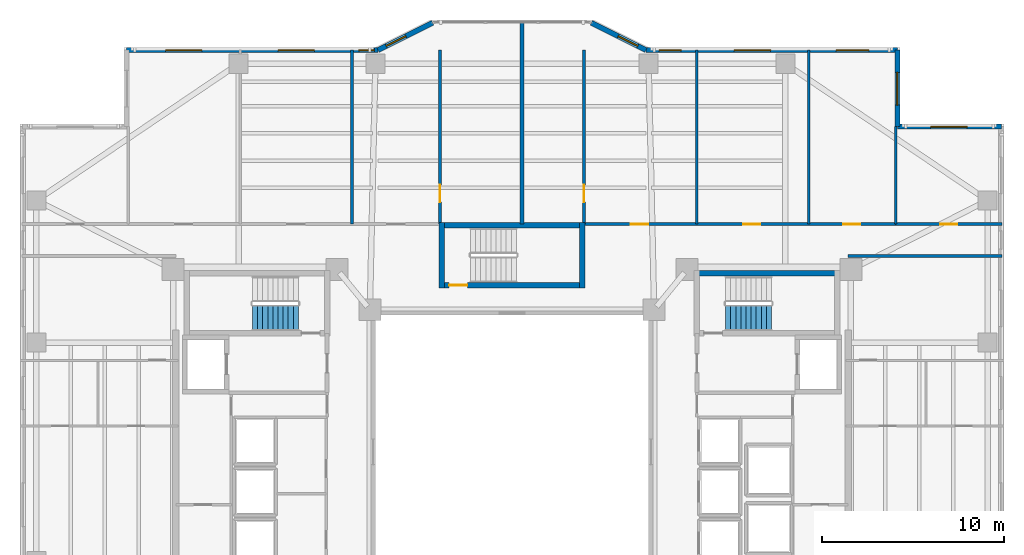
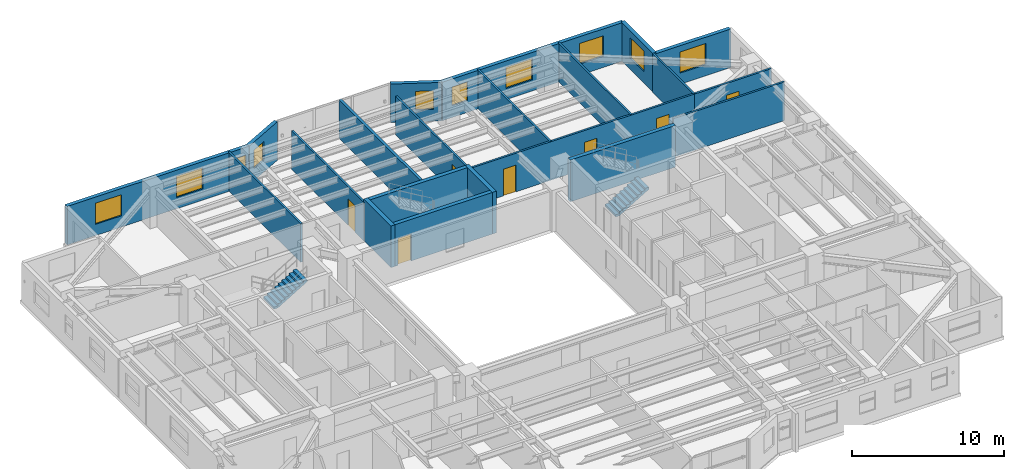
# One storey, part 10 of 18: 21 walls, 10 windows, 7 doors, 2 stair flights, 17 openings, 2 elements without a shape of their own.
"""IFC4 building model written with IfcOpenShell, lengths in metres."""

from ifc_helpers import new_model, si_unit, direction, frame, frame_2d, origin, place, context, subcontext, project, spatial, polyline, rectangle, outline, extrude, material, layer, layer_set, type_object, element, fill, aggregate, save


model = new_model("IFC4")

# Units and contexts
model_context = context("Model", 3, precision=1e-05, world=origin(), true_north=direction((0.0, 1.0)))
body_context = subcontext(model_context, "Body", "Model", "MODEL_VIEW")
ifc_project = project(units=[si_unit("LENGTHUNIT", "METRE"), si_unit("AREAUNIT", "SQUARE_METRE"), si_unit("VOLUMEUNIT", "CUBIC_METRE"), si_unit("PLANEANGLEUNIT", "RADIAN"), si_unit("MASSUNIT", "GRAM", prefix="KILO")], contexts=[model_context])

# Site, building, storey
site_placement = place(None, origin())
site = spatial("IfcSite", under=ifc_project, at=site_placement, CompositionType="ELEMENT")
building_placement = place(site_placement, origin())
building = spatial("IfcBuilding", under=site, at=building_placement, Name="Tarnavaz Court Tower", CompositionType="ELEMENT")
storey_placement = place(building_placement, frame((0.0, 0.0, 105.10009765625)))
storey = spatial("IfcBuildingStorey", under=building, at=storey_placement, Name="L28", CompositionType="ELEMENT", Elevation=105.10009765625)

# Walls
ifc_material_1 = material(Name="Concrete C60/75", Category="concrete")
ifc_layer_1 = layer(ifc_material_1, 0.300048828125)
ifc_layer_set_1 = layer_set([ifc_layer_1], Name="Concrete C60/75")
wall_type_1 = type_object("IfcWallType", Name="WL-CORE-300-C60", PredefinedType="SHEAR", material=ifc_layer_set_1)
for number, where, z_axis, x_axis, name in (
    (1, (10.0, 9.7900390625, 0.0), (0.0, 0.0, 1.0), (1.0, 0.0, 0.0), "L28 East Stair Core Wall 005"),
    (2, (-4.0, 12.43994140625, 0.0), (0.0, 0.0, 1.0), (1.0, 0.0, 0.0), "L28 North Stair Core Wall 009"),
):
    element("IfcWall", number, at=place(storey_placement, frame(where, z_axis=z_axis, x_axis=x_axis)), inside=storey, type_object=wall_type_1, Name=name, PredefinedType="SHEAR", context=body_context, shape_type="SweptSolid", body=[
        extrude(rectangle(XDim=8.0, YDim=0.300048828125, at=frame_2d((4.0, 0.0))), origin(), (0.0, 0.0, 1.0), 3.349853515625),
    ])

# Wall, opening, door
wall_1_placement = place(storey_placement, frame((-4.0, 9.14990234375, 0.0), z_axis=(0.0, 0.0, 1.0), x_axis=(1.0, 0.0, 0.0)))
wall_1 = element("IfcWall", 3, at=wall_1_placement, inside=storey, type_object=wall_type_1, Name="L28 North Stair Core Wall 010", PredefinedType="SHEAR", context=body_context, shape_type="SweptSolid", body=[
    extrude(rectangle(XDim=8.0, YDim=0.300048828125, at=frame_2d((4.0, 0.0))), origin(), (0.0, 0.0, 1.0), 3.349853515625),
])
opening_1_placement = place(wall_1_placement, frame((0.550048828125, 0.0, 0.0)))
opening_1 = element("IfcOpeningElement", 4, at=opening_1_placement, cuts=wall_1, Name="Opening D01", PredefinedType="OPENING", context=body_context, shape_type="SweptSolid", body=[
    extrude(rectangle(XDim=1.0, YDim=2.14990234375, at=frame_2d((0.5, 1.074951171875))), frame((0.0, 0.159912109375, 0.0), z_axis=(0.0, -1.0, 0.0), x_axis=(1.0, 0.0, 0.0)), (0.0, 0.0, 1.0), 0.320068359375),
])
ifc_material_2 = material(Name="Fire-Rated Hardwood Timber Core", Category="wood")
door_type_1 = type_object("IfcDoorType", Name="DR-FD90-1000", OperationType="NOTDEFINED", PredefinedType="DOOR", material=ifc_material_2)
door_1_placement = place(opening_1_placement, origin())
door_1 = element("IfcDoor", 5, at=door_1_placement, inside=storey, type_object=door_type_1, Name="L28 Stair ST-N1 Exit Door", OperationType="SINGLE_SWING_LEFT", OverallHeight=2.14990234375, OverallWidth=1.0, PredefinedType="DOOR", context=body_context, shape_type="SweptSolid", body=[
    extrude(rectangle(XDim=1.0, YDim=2.14990234375, at=frame_2d((0.5, 1.074951171875))), frame((0.0, 0.02490234375, 0.0), z_axis=(0.0, -1.0, 0.0), x_axis=(1.0, 0.0, 0.0)), (0.0, 0.0, 1.0), 0.050048828125),
])
fill(opening_1, door_1)

# Walls
for number, where, z_axis, x_axis, name in (
    (6, (-3.85009765625, 9.0, 0.0), (0.0, 0.0, 1.0), (0.0, 1.0, 0.0), "L28 North Stair Core Wall 011"),
    (7, (3.85009765625, 9.0, 0.0), (0.0, 0.0, 1.0), (0.0, 1.0, 0.0), "L28 North Stair Core Wall 012"),
):
    element("IfcWall", number, at=place(storey_placement, frame(where, z_axis=z_axis, x_axis=x_axis)), inside=storey, type_object=wall_type_1, Name=name, PredefinedType="SHEAR", context=body_context, shape_type="SweptSolid", body=[
        extrude(rectangle(XDim=3.590087890625, YDim=0.300048828125, at=frame_2d((1.794921875, 0.0))), origin(), (0.0, 0.0, 1.0), 3.349853515625),
    ])

# Wall, openings, windows
ifc_material_3 = material(Name="Precast Concrete C40/50", Category="concrete")
ifc_layer_2 = layer(ifc_material_3, 0.280029296875)
ifc_layer_set_2 = layer_set([ifc_layer_2], Name="Precast Concrete C40/50")
wall_type_2 = type_object("IfcWallType", Name="WL-EXT-280", PredefinedType="SOLIDWALL", material=ifc_layer_set_2)
wall_2_placement = place(storey_placement, frame((-21.14990234375, 22.050048828125, 0.0), z_axis=(0.0, 0.0, 1.0), x_axis=(1.0, 0.0, 0.0)))
wall_2 = element("IfcWall", 8, at=wall_2_placement, inside=storey, type_object=wall_type_2, Name="L28 Exterior Terracotta Facade Wall 05", PredefinedType="SOLIDWALL", context=body_context, shape_type="SweptSolid", body=[
    extrude(rectangle(XDim=13.7998046875, YDim=0.280029296875, at=frame_2d((6.89990234375, 0.0))), origin(), (0.0, 0.0, 1.0), 3.099853515625),
])
opening_2_placement = place(wall_2_placement, frame((2.136474609375, 0.0, 0.89990234375)))
opening_2 = element("IfcOpeningElement", 9, at=opening_2_placement, cuts=wall_2, Name="Opening W08", PredefinedType="OPENING", context=body_context, shape_type="SweptSolid", body=[
    extrude(rectangle(XDim=2.0, YDim=1.699951171875, at=frame_2d((1.0, 0.85009765625))), frame((0.0, 0.14990234375, 0.0), z_axis=(0.0, -1.0, 0.0), x_axis=(1.0, 0.0, 0.0)), (0.0, 0.0, 1.0), 0.300048828125),
])
opening_3_placement = place(wall_2_placement, frame((8.30859375, 0.0, 0.89990234375)))
opening_3 = element("IfcOpeningElement", 10, at=opening_3_placement, cuts=wall_2, Name="Opening W08", PredefinedType="OPENING", context=body_context, shape_type="SweptSolid", body=[
    extrude(rectangle(XDim=2.0, YDim=1.699951171875, at=frame_2d((1.0, 0.85009765625))), frame((0.0, 0.14990234375, 0.0), z_axis=(0.0, -1.0, 0.0), x_axis=(1.0, 0.0, 0.0)), (0.0, 0.0, 1.0), 0.300048828125),
])
opening_4_placement = place(wall_2_placement, frame((12.7470703125, 0.0, 0.949951171875)))
opening_4 = element("IfcOpeningElement", 11, at=opening_4_placement, cuts=wall_2, Name="Opening W15", PredefinedType="OPENING", context=body_context, shape_type="SweptSolid", body=[
    extrude(rectangle(XDim=0.85009765625, YDim=1.5, at=frame_2d((0.425048828125, 0.75))), frame((0.0, 0.14990234375, 0.0), z_axis=(0.0, -1.0, 0.0), x_axis=(1.0, 0.0, 0.0)), (0.0, 0.0, 1.0), 0.300048828125),
])
ifc_material_4 = material(Name="Double-Glazed Solar Low-E Glass", Category="glass")
window_type_1 = type_object("IfcWindowType", Name="WN-APT-2000", PartitioningType="DOUBLE_PANEL_VERTICAL", PredefinedType="WINDOW", material=ifc_material_4)
window_1_placement = place(opening_2_placement, origin())
window_1 = element("IfcWindow", 12, at=window_1_placement, inside=storey, type_object=window_type_1, Name="L28 Resident Co-Working Study Room Window", OverallHeight=1.699951171875, OverallWidth=2.0, PartitioningType="SINGLE_PANEL", PredefinedType="WINDOW", context=body_context, shape_type="SweptSolid", body=[
    extrude(rectangle(XDim=2.0, YDim=1.699951171875, at=frame_2d((1.0, 0.85009765625))), frame((0.0, 0.030029296875, 0.0), z_axis=(0.0, -1.0, 0.0), x_axis=(1.0, 0.0, 0.0)), (0.0, 0.0, 1.0), 0.06005859375),
])
fill(opening_2, window_1)
window_2_placement = place(opening_3_placement, origin())
window_2 = element("IfcWindow", 13, at=window_2_placement, inside=storey, type_object=window_type_1, Name="L28 Quiet Reading Library Room Window", OverallHeight=1.699951171875, OverallWidth=2.0, PartitioningType="SINGLE_PANEL", PredefinedType="WINDOW", context=body_context, shape_type="SweptSolid", body=[
    extrude(rectangle(XDim=2.0, YDim=1.699951171875, at=frame_2d((1.0, 0.85009765625))), frame((0.0, 0.030029296875, 0.0), z_axis=(0.0, -1.0, 0.0), x_axis=(1.0, 0.0, 0.0)), (0.0, 0.0, 1.0), 0.06005859375),
])
fill(opening_3, window_2)
window_type_2 = type_object("IfcWindowType", Name="WN-APT-850", PartitioningType="SINGLE_PANEL", PredefinedType="WINDOW", material=ifc_material_4)
window_3_placement = place(opening_4_placement, origin())
window_3 = element("IfcWindow", 14, at=window_3_placement, inside=storey, type_object=window_type_2, Name="L28 Resident Focus Seminar Room Window", OverallHeight=1.5, OverallWidth=0.85009765625, PartitioningType="SINGLE_PANEL", PredefinedType="WINDOW", context=body_context, shape_type="SweptSolid", body=[
    extrude(rectangle(XDim=0.85009765625, YDim=1.5, at=frame_2d((0.425048828125, 0.75))), frame((0.0, 0.030029296875, 0.0), z_axis=(0.0, -1.0, 0.0), x_axis=(1.0, 0.0, 0.0)), (0.0, 0.0, 1.0), 0.06005859375),
])
fill(opening_4, window_3)

# Wall, opening, window
wall_3_placement = place(storey_placement, frame((-7.35009765625, 22.050048828125, 0.0), z_axis=(0.0, 0.0, 1.0), x_axis=(0.894427191, 0.4472135955, 0.0)))
wall_3 = element("IfcWall", 15, at=wall_3_placement, inside=storey, type_object=wall_type_2, Name="L28 Exterior Terracotta Facade Wall 06", PredefinedType="SOLIDWALL", context=body_context, shape_type="SweptSolid", body=[
    extrude(rectangle(XDim=3.35400390625, YDim=0.280029296875, at=frame_2d((1.677001953125, 0.0))), origin(), (0.0, 0.0, 1.0), 3.099853515625),
])
opening_5_placement = place(wall_3_placement, frame((0.501220703125, 0.0, 0.949951171875)))
opening_5 = element("IfcOpeningElement", 16, at=opening_5_placement, cuts=wall_3, Name="Opening W05", PredefinedType="OPENING", context=body_context, shape_type="SweptSolid", body=[
    extrude(rectangle(XDim=1.199951171875, YDim=1.5, at=frame_2d((0.60009765625, 0.75))), frame((0.0, 0.14990234375, 0.0), z_axis=(0.0, -1.0, 0.0), x_axis=(1.0, 0.0, 0.0)), (0.0, 0.0, 1.0), 0.300048828125),
])
window_type_3 = type_object("IfcWindowType", Name="WN-APT-1200", PartitioningType="SINGLE_PANEL", PredefinedType="WINDOW", material=ifc_material_4)
window_4_placement = place(opening_5_placement, origin())
window_4 = element("IfcWindow", 17, at=window_4_placement, inside=storey, type_object=window_type_3, Name="L28 Resident Focus Seminar Room Window", OverallHeight=1.5, OverallWidth=1.199951171875, PartitioningType="SINGLE_PANEL", PredefinedType="WINDOW", context=body_context, shape_type="SweptSolid", body=[
    extrude(rectangle(XDim=1.199951171875, YDim=1.5, at=frame_2d((0.60009765625, 0.75))), frame((0.0, 0.030029296875, 0.0), z_axis=(0.0, -1.0, 0.0), x_axis=(1.0, 0.0, 0.0)), (0.0, 0.0, 1.0), 0.06005859375),
])
fill(opening_5, window_4)

wall_4_placement = place(storey_placement, frame((4.35009765625, 23.550048828125, 0.0), z_axis=(0.0, 0.0, 1.0), x_axis=(0.894427191, -0.4472135955, 0.0)))
wall_4 = element("IfcWall", 18, at=wall_4_placement, inside=storey, type_object=wall_type_2, Name="L28 Exterior Terracotta Facade Wall 08", PredefinedType="SOLIDWALL", context=body_context, shape_type="SweptSolid", body=[
    extrude(rectangle(XDim=3.35400390625, YDim=0.280029296875, at=frame_2d((1.677001953125, 0.0))), origin(), (0.0, 0.0, 1.0), 3.099853515625),
])
opening_6_placement = place(wall_4_placement, frame((1.65283203125, 0.0, 0.949951171875)))
opening_6 = element("IfcOpeningElement", 19, at=opening_6_placement, cuts=wall_4, Name="Opening W05", PredefinedType="OPENING", context=body_context, shape_type="SweptSolid", body=[
    extrude(rectangle(XDim=1.199951171875, YDim=1.5, at=frame_2d((0.60009765625, 0.75))), frame((0.0, 0.14990234375, 0.0), z_axis=(0.0, -1.0, 0.0), x_axis=(1.0, 0.0, 0.0)), (0.0, 0.0, 1.0), 0.300048828125),
])
window_5_placement = place(opening_6_placement, origin())
window_5 = element("IfcWindow", 20, at=window_5_placement, inside=storey, type_object=window_type_3, Name="L28 Resident Fitness and Yoga Studio Window", OverallHeight=1.5, OverallWidth=1.199951171875, PartitioningType="SINGLE_PANEL", PredefinedType="WINDOW", context=body_context, shape_type="SweptSolid", body=[
    extrude(rectangle(XDim=1.199951171875, YDim=1.5, at=frame_2d((0.60009765625, 0.75))), frame((0.0, 0.030029296875, 0.0), z_axis=(0.0, -1.0, 0.0), x_axis=(1.0, 0.0, 0.0)), (0.0, 0.0, 1.0), 0.06005859375),
])
fill(opening_6, window_5)

# Wall, openings, windows
wall_5_placement = place(storey_placement, frame((7.35009765625, 22.050048828125, 0.0), z_axis=(0.0, 0.0, 1.0), x_axis=(1.0, 0.0, 0.0)))
wall_5 = element("IfcWall", 21, at=wall_5_placement, inside=storey, type_object=wall_type_2, Name="L28 Exterior Terracotta Facade Wall 09", PredefinedType="SOLIDWALL", context=body_context, shape_type="SweptSolid", body=[
    extrude(rectangle(XDim=13.7998046875, YDim=0.280029296875, at=frame_2d((6.89990234375, 0.0))), origin(), (0.0, 0.0, 1.0), 3.099853515625),
])
opening_7_placement = place(wall_5_placement, frame((0.729736328125, 0.0, 0.949951171875)))
opening_7 = element("IfcOpeningElement", 22, at=opening_7_placement, cuts=wall_5, Name="Opening W05", PredefinedType="OPENING", context=body_context, shape_type="SweptSolid", body=[
    extrude(rectangle(XDim=1.199951171875, YDim=1.5, at=frame_2d((0.60009765625, 0.75))), frame((0.0, 0.14990234375, 0.0), z_axis=(0.0, -1.0, 0.0), x_axis=(1.0, 0.0, 0.0)), (0.0, 0.0, 1.0), 0.300048828125),
])
opening_8_placement = place(wall_5_placement, frame((4.84619140625, 0.0, 0.89990234375)))
opening_8 = element("IfcOpeningElement", 23, at=opening_8_placement, cuts=wall_5, Name="Opening W08", PredefinedType="OPENING", context=body_context, shape_type="SweptSolid", body=[
    extrude(rectangle(XDim=2.0, YDim=1.699951171875, at=frame_2d((1.0, 0.85009765625))), frame((0.0, 0.14990234375, 0.0), z_axis=(0.0, -1.0, 0.0), x_axis=(1.0, 0.0, 0.0)), (0.0, 0.0, 1.0), 0.300048828125),
])
opening_9_placement = place(wall_5_placement, frame((10.441162109375, 0.0, 0.89990234375)))
opening_9 = element("IfcOpeningElement", 24, at=opening_9_placement, cuts=wall_5, Name="Opening W01", PredefinedType="OPENING", context=body_context, shape_type="SweptSolid", body=[
    extrude(rectangle(XDim=1.800048828125, YDim=1.64990234375, at=frame_2d((0.89990234375, 0.824951171875))), frame((0.0, 0.14990234375, 0.0), z_axis=(0.0, -1.0, 0.0), x_axis=(1.0, 0.0, 0.0)), (0.0, 0.0, 1.0), 0.300048828125),
])
window_6_placement = place(opening_7_placement, origin())
window_6 = element("IfcWindow", 25, at=window_6_placement, inside=storey, type_object=window_type_3, Name="L28 Resident Fitness and Yoga Studio Window", OverallHeight=1.5, OverallWidth=1.199951171875, PartitioningType="SINGLE_PANEL", PredefinedType="WINDOW", context=body_context, shape_type="SweptSolid", body=[
    extrude(rectangle(XDim=1.199951171875, YDim=1.5, at=frame_2d((0.60009765625, 0.75))), frame((0.0, 0.030029296875, 0.0), z_axis=(0.0, -1.0, 0.0), x_axis=(1.0, 0.0, 0.0)), (0.0, 0.0, 1.0), 0.06005859375),
])
fill(opening_7, window_6)
window_type_4 = type_object("IfcWindowType", Name="WN-APT-1800", PartitioningType="DOUBLE_PANEL_VERTICAL", PredefinedType="WINDOW", material=ifc_material_4)
window_7_placement = place(opening_9_placement, origin())
window_7 = element("IfcWindow", 26, at=window_7_placement, inside=storey, type_object=window_type_4, Name="L28 Shared Community Tea Pantry Window", OverallHeight=1.64990234375, OverallWidth=1.800048828125, PartitioningType="SINGLE_PANEL", PredefinedType="WINDOW", context=body_context, shape_type="SweptSolid", body=[
    extrude(rectangle(XDim=1.800048828125, YDim=1.64990234375, at=frame_2d((0.89990234375, 0.824951171875))), frame((0.0, 0.030029296875, 0.0), z_axis=(0.0, -1.0, 0.0), x_axis=(1.0, 0.0, 0.0)), (0.0, 0.0, 1.0), 0.06005859375),
])
fill(opening_9, window_7)
window_8_placement = place(opening_8_placement, origin())
window_8 = element("IfcWindow", 27, at=window_8_placement, inside=storey, type_object=window_type_1, Name="L28 Children Playroom and Daycare Window", OverallHeight=1.699951171875, OverallWidth=2.0, PartitioningType="SINGLE_PANEL", PredefinedType="WINDOW", context=body_context, shape_type="SweptSolid", body=[
    extrude(rectangle(XDim=2.0, YDim=1.699951171875, at=frame_2d((1.0, 0.85009765625))), frame((0.0, 0.030029296875, 0.0), z_axis=(0.0, -1.0, 0.0), x_axis=(1.0, 0.0, 0.0)), (0.0, 0.0, 1.0), 0.06005859375),
])
fill(opening_8, window_8)

# Wall, opening, window
wall_6_placement = place(storey_placement, frame((21.14990234375, 22.050048828125, 0.0), z_axis=(0.0, 0.0, 1.0), x_axis=(0.0, -1.0, 0.0)))
wall_6 = element("IfcWall", 28, at=wall_6_placement, inside=storey, type_object=wall_type_2, Name="L28 Exterior Terracotta Facade Wall 10", PredefinedType="SOLIDWALL", context=body_context, shape_type="SweptSolid", body=[
    extrude(rectangle(XDim=4.199951171875, YDim=0.280029296875, at=frame_2d((2.10009765625, 0.0))), origin(), (0.0, 0.0, 1.0), 3.099853515625),
])
opening_10_placement = place(wall_6_placement, frame((1.2177734375, 0.0, 0.89990234375)))
opening_10 = element("IfcOpeningElement", 29, at=opening_10_placement, cuts=wall_6, Name="Opening W01", PredefinedType="OPENING", context=body_context, shape_type="SweptSolid", body=[
    extrude(rectangle(XDim=1.800048828125, YDim=1.64990234375, at=frame_2d((0.89990234375, 0.824951171875))), frame((0.0, 0.14990234375, 0.0), z_axis=(0.0, -1.0, 0.0), x_axis=(1.0, 0.0, 0.0)), (0.0, 0.0, 1.0), 0.300048828125),
])
window_9_placement = place(opening_10_placement, origin())
window_9 = element("IfcWindow", 30, at=window_9_placement, inside=storey, type_object=window_type_4, Name="L28 Shared Community Tea Pantry Window", OverallHeight=1.64990234375, OverallWidth=1.800048828125, PartitioningType="SINGLE_PANEL", PredefinedType="WINDOW", context=body_context, shape_type="SweptSolid", body=[
    extrude(rectangle(XDim=1.800048828125, YDim=1.64990234375, at=frame_2d((0.89990234375, 0.824951171875))), frame((0.0, 0.030029296875, 0.0), z_axis=(0.0, -1.0, 0.0), x_axis=(1.0, 0.0, 0.0)), (0.0, 0.0, 1.0), 0.06005859375),
])
fill(opening_10, window_9)

wall_7_placement = place(storey_placement, frame((21.14990234375, 17.85009765625, 0.0), z_axis=(0.0, 0.0, 1.0), x_axis=(1.0, 0.0, 0.0)))
wall_7 = element("IfcWall", 31, at=wall_7_placement, inside=storey, type_object=wall_type_2, Name="L28 Exterior Terracotta Facade Wall 11", PredefinedType="SOLIDWALL", context=body_context, shape_type="SweptSolid", body=[
    extrude(rectangle(XDim=5.7001953125, YDim=0.280029296875, at=frame_2d((2.85009765625, 0.0))), origin(), (0.0, 0.0, 1.0), 3.099853515625),
])
opening_11_placement = place(wall_7_placement, frame((1.824951171875, 0.0, 0.89990234375)))
opening_11 = element("IfcOpeningElement", 32, at=opening_11_placement, cuts=wall_7, Name="Opening W08", PredefinedType="OPENING", context=body_context, shape_type="SweptSolid", body=[
    extrude(rectangle(XDim=2.0, YDim=1.699951171875, at=frame_2d((1.0, 0.85009765625))), frame((0.0, 0.14990234375, 0.0), z_axis=(0.0, -1.0, 0.0), x_axis=(1.0, 0.0, 0.0)), (0.0, 0.0, 1.0), 0.300048828125),
])
window_10_placement = place(opening_11_placement, origin())
window_10 = element("IfcWindow", 33, at=window_10_placement, inside=storey, type_object=window_type_1, Name="L28 North-East Corner Sunroom Study Window", OverallHeight=1.699951171875, OverallWidth=2.0, PartitioningType="SINGLE_PANEL", PredefinedType="WINDOW", context=body_context, shape_type="SweptSolid", body=[
    extrude(rectangle(XDim=2.0, YDim=1.699951171875, at=frame_2d((1.0, 0.85009765625))), frame((0.0, 0.030029296875, 0.0), z_axis=(0.0, -1.0, 0.0), x_axis=(1.0, 0.0, 0.0)), (0.0, 0.0, 1.0), 0.06005859375),
])
fill(opening_11, window_10)

# Wall, openings, doors
ifc_material_5 = material(Name="Gypsum Fire-Board on Acoustic Metal Stud", Category="masonry")
ifc_layer_3 = layer(ifc_material_5, 0.14990234375)
ifc_layer_set_3 = layer_set([ifc_layer_3], Name="Gypsum Fire-Board on Acoustic Metal Stud")
wall_type_3 = type_object("IfcWallType", Name="WL-FIRE-150", PredefinedType="PARTITIONING", material=ifc_layer_set_3)
wall_8_placement = place(storey_placement, frame((3.85009765625, 12.5, 0.0), z_axis=(0.0, 0.0, 1.0), x_axis=(1.0, 0.0, 0.0)))
wall_8 = element("IfcWall", 34, at=wall_8_placement, inside=storey, type_object=wall_type_3, Name="L28 NE Wing Corridor Wall 072", PredefinedType="PARTITIONING", context=body_context, shape_type="SweptSolid", body=[
    extrude(rectangle(XDim=17.199951171875, YDim=0.14990234375, at=frame_2d((8.60009765625, 0.0))), origin(), (0.0, 0.0, 1.0), 3.099853515625),
])
opening_12_placement = place(wall_8_placement, frame((2.672119140625, 0.0, 0.0)))
opening_12 = element("IfcOpeningElement", 35, at=opening_12_placement, cuts=wall_8, Name="Opening D13", PredefinedType="OPENING", context=body_context, shape_type="SweptSolid", body=[
    extrude(rectangle(XDim=0.949951171875, YDim=2.14990234375, at=frame_2d((0.47509765625, 1.074951171875))), frame((0.0, 0.0849609375, 0.0), z_axis=(0.0, -1.0, 0.0), x_axis=(1.0, 0.0, 0.0)), (0.0, 0.0, 1.0), 0.169921875),
])
opening_13_placement = place(wall_8_placement, frame((8.8369140625, 0.0, 0.0)))
opening_13 = element("IfcOpeningElement", 36, at=opening_13_placement, cuts=wall_8, Name="Opening D13", PredefinedType="OPENING", context=body_context, shape_type="SweptSolid", body=[
    extrude(rectangle(XDim=0.949951171875, YDim=2.14990234375, at=frame_2d((0.47509765625, 1.074951171875))), frame((0.0, 0.0849609375, 0.0), z_axis=(0.0, -1.0, 0.0), x_axis=(1.0, 0.0, 0.0)), (0.0, 0.0, 1.0), 0.169921875),
])
opening_14_placement = place(wall_8_placement, frame((14.319091796875, 0.0, 0.0)))
opening_14 = element("IfcOpeningElement", 37, at=opening_14_placement, cuts=wall_8, Name="Opening D13", PredefinedType="OPENING", context=body_context, shape_type="SweptSolid", body=[
    extrude(rectangle(XDim=0.949951171875, YDim=2.14990234375, at=frame_2d((0.47509765625, 1.074951171875))), frame((0.0, 0.0849609375, 0.0), z_axis=(0.0, -1.0, 0.0), x_axis=(1.0, 0.0, 0.0)), (0.0, 0.0, 1.0), 0.169921875),
])
ifc_material_6 = material(Name="Engineered Oak Timber", Category="wood")
door_type_2 = type_object("IfcDoorType", Name="DR-INT-950", OperationType="NOTDEFINED", PredefinedType="DOOR", material=ifc_material_6)
door_2_placement = place(opening_12_placement, origin())
door_2 = element("IfcDoor", 38, at=door_2_placement, inside=storey, type_object=door_type_2, Name="L28 Resident Fitness and Yoga Studio Door", OperationType="SINGLE_SWING_LEFT", OverallHeight=2.14990234375, OverallWidth=0.949951171875, PredefinedType="DOOR", context=body_context, shape_type="SweptSolid", body=[
    extrude(rectangle(XDim=0.949951171875, YDim=2.14990234375, at=frame_2d((0.47509765625, 1.074951171875))), frame((0.0, 0.02490234375, 0.0), z_axis=(0.0, -1.0, 0.0), x_axis=(1.0, 0.0, 0.0)), (0.0, 0.0, 1.0), 0.050048828125),
])
fill(opening_12, door_2)
door_3_placement = place(opening_13_placement, origin())
door_3 = element("IfcDoor", 39, at=door_3_placement, inside=storey, type_object=door_type_2, Name="L28 Children Playroom and Daycare Door", OperationType="SINGLE_SWING_RIGHT", OverallHeight=2.14990234375, OverallWidth=0.949951171875, PredefinedType="DOOR", context=body_context, shape_type="SweptSolid", body=[
    extrude(rectangle(XDim=0.949951171875, YDim=2.14990234375, at=frame_2d((0.47509765625, 1.074951171875))), frame((0.0, 0.02490234375, 0.0), z_axis=(0.0, -1.0, 0.0), x_axis=(1.0, 0.0, 0.0)), (0.0, 0.0, 1.0), 0.050048828125),
])
fill(opening_13, door_3)
door_4_placement = place(opening_14_placement, origin())
door_4 = element("IfcDoor", 40, at=door_4_placement, inside=storey, type_object=door_type_2, Name="L28 Shared Community Tea Pantry Door", OperationType="SINGLE_SWING_LEFT", OverallHeight=2.14990234375, OverallWidth=0.949951171875, PredefinedType="DOOR", context=body_context, shape_type="SweptSolid", body=[
    extrude(rectangle(XDim=0.949951171875, YDim=2.14990234375, at=frame_2d((0.47509765625, 1.074951171875))), frame((0.0, 0.02490234375, 0.0), z_axis=(0.0, -1.0, 0.0), x_axis=(1.0, 0.0, 0.0)), (0.0, 0.0, 1.0), 0.050048828125),
])
fill(opening_14, door_4)

# Wall
wall_9_placement = place(storey_placement, frame((18.449951171875, 10.75, 0.0), z_axis=(0.0, 0.0, 1.0), x_axis=(1.0, 0.0, 0.0)))
element("IfcWall", 41, at=wall_9_placement, inside=storey, type_object=wall_type_3, Name="L28 Interior Partition 098", PredefinedType="PARTITIONING", context=body_context, shape_type="SweptSolid", body=[
    extrude(rectangle(XDim=8.429931640625, YDim=0.14990234375, at=frame_2d((4.21484375, 0.0))), origin(), (0.0, 0.0, 1.0), 3.099853515625),
])

# Wall, opening, door
wall_10_placement = place(storey_placement, frame((21.050048828125, 12.5, 0.0), z_axis=(0.0, 0.0, 1.0), x_axis=(1.0, 0.0, 0.0)))
wall_10 = element("IfcWall", 42, at=wall_10_placement, inside=storey, type_object=wall_type_3, Name="L28 Interior Partition 104", PredefinedType="PARTITIONING", context=body_context, shape_type="SweptSolid", body=[
    extrude(rectangle(XDim=5.829833984375, YDim=0.14990234375, at=frame_2d((2.9150390625, 0.0))), origin(), (0.0, 0.0, 1.0), 3.099853515625),
])
opening_15_placement = place(wall_10_placement, frame((2.43994140625, 0.0, 0.0)))
opening_15 = element("IfcOpeningElement", 43, at=opening_15_placement, cuts=wall_10, Name="Opening D13", PredefinedType="OPENING", context=body_context, shape_type="SweptSolid", body=[
    extrude(rectangle(XDim=0.949951171875, YDim=2.14990234375, at=frame_2d((0.47509765625, 1.074951171875))), frame((0.0, 0.0849609375, 0.0), z_axis=(0.0, -1.0, 0.0), x_axis=(1.0, 0.0, 0.0)), (0.0, 0.0, 1.0), 0.169921875),
])
door_5_placement = place(opening_15_placement, origin())
door_5 = element("IfcDoor", 44, at=door_5_placement, inside=storey, type_object=door_type_2, Name="L28 NE Sunroom Door", OperationType="SINGLE_SWING_RIGHT", OverallHeight=2.14990234375, OverallWidth=0.949951171875, PredefinedType="DOOR", context=body_context, shape_type="SweptSolid", body=[
    extrude(rectangle(XDim=0.949951171875, YDim=2.14990234375, at=frame_2d((0.47509765625, 1.074951171875))), frame((0.0, 0.02490234375, 0.0), z_axis=(0.0, -1.0, 0.0), x_axis=(1.0, 0.0, 0.0)), (0.0, 0.0, 1.0), 0.050048828125),
])
fill(opening_15, door_5)

# Wall
ifc_material_7 = material(Name="Autoclaved Aerated Concrete Blockwork", Category="masonry")
ifc_layer_4 = layer(ifc_material_7, 0.199951171875)
ifc_layer_set_4 = layer_set([ifc_layer_4], Name="Autoclaved Aerated Concrete Blockwork")
wall_type_4 = type_object("IfcWallType", Name="WL-FIRE-200", PredefinedType="SOLIDWALL", material=ifc_layer_set_4)
wall_11_placement = place(storey_placement, frame((0.550048828125, 12.5, 0.0), z_axis=(0.0, 0.0, 1.0), x_axis=(0.0, 1.0, 0.0)))
element("IfcWall", 45, at=wall_11_placement, inside=storey, type_object=wall_type_4, Name="L28 North Center Party Wall 075", PredefinedType="SOLIDWALL", context=body_context, shape_type="SweptSolid", body=[
    extrude(rectangle(XDim=11.080078125, YDim=0.199951171875, at=frame_2d((5.5400390625, 0.0))), origin(), (0.0, 0.0, 1.0), 3.099853515625),
])

# Wall, opening, door
ifc_material_8 = material(Name="Gypsum Plasterboard Acoustic Partition", Category="masonry")
ifc_layer_5 = layer(ifc_material_8, 0.139892578125)
ifc_layer_set_5 = layer_set([ifc_layer_5], Name="Gypsum Plasterboard Acoustic Partition")
wall_type_5 = type_object("IfcWallType", Name="WL-PART-150", PredefinedType="PARTITIONING", material=ifc_layer_set_5)
wall_12_placement = place(storey_placement, frame((-3.949951171875, 12.5, 0.0), z_axis=(0.0, 0.0, 1.0), x_axis=(0.0, 1.0, 0.0)))
wall_12 = element("IfcWall", 46, at=wall_12_placement, inside=storey, type_object=wall_type_5, Name="L28 Interior Partition 076", PredefinedType="PARTITIONING", context=body_context, shape_type="SweptSolid", body=[
    extrude(rectangle(XDim=9.550048828125, YDim=0.139892578125, at=frame_2d((4.77490234375, 0.0))), origin(), (0.0, 0.0, 1.0), 3.099853515625),
])
opening_16_placement = place(wall_12_placement, frame((1.199951171875, 0.0, 0.0)))
opening_16 = element("IfcOpeningElement", 47, at=opening_16_placement, cuts=wall_12, Name="Opening D13", PredefinedType="OPENING", context=body_context, shape_type="SweptSolid", body=[
    extrude(rectangle(XDim=0.949951171875, YDim=2.14990234375, at=frame_2d((0.47509765625, 1.074951171875))), frame((0.0, 0.079833984375, 0.0), z_axis=(0.0, -1.0, 0.0), x_axis=(1.0, 0.0, 0.0)), (0.0, 0.0, 1.0), 0.159912109375),
])
door_6_placement = place(opening_16_placement, origin())
door_6 = element("IfcDoor", 48, at=door_6_placement, inside=storey, type_object=door_type_2, Name="L28 NW Iwan Study Door", OperationType="SINGLE_SWING_RIGHT", OverallHeight=2.14990234375, OverallWidth=0.949951171875, PredefinedType="DOOR", context=body_context, shape_type="SweptSolid", body=[
    extrude(rectangle(XDim=0.949951171875, YDim=2.14990234375, at=frame_2d((0.47509765625, 1.074951171875))), frame((0.0, 0.02490234375, 0.0), z_axis=(0.0, -1.0, 0.0), x_axis=(1.0, 0.0, 0.0)), (0.0, 0.0, 1.0), 0.050048828125),
])
fill(opening_16, door_6)

# Wall
wall_13_placement = place(storey_placement, frame((-8.781005859375, 12.5, 0.0), z_axis=(0.0, 0.0, 1.0), x_axis=(0.0, 1.0, 0.0)))
element("IfcWall", 49, at=wall_13_placement, inside=storey, type_object=wall_type_5, Name="L28 Interior Partition 078", PredefinedType="PARTITIONING", context=body_context, shape_type="SweptSolid", body=[
    extrude(rectangle(XDim=9.550048828125, YDim=0.139892578125, at=frame_2d((4.77490234375, 0.0))), origin(), (0.0, 0.0, 1.0), 3.099853515625),
])

# Wall, opening, door
wall_14_placement = place(storey_placement, frame((3.949951171875, 12.5, 0.0), z_axis=(0.0, 0.0, 1.0), x_axis=(0.0, 1.0, 0.0)))
wall_14 = element("IfcWall", 50, at=wall_14_placement, inside=storey, type_object=wall_type_5, Name="L28 Interior Partition 079", PredefinedType="PARTITIONING", context=body_context, shape_type="SweptSolid", body=[
    extrude(rectangle(XDim=9.550048828125, YDim=0.139892578125, at=frame_2d((4.77490234375, 0.0))), origin(), (0.0, 0.0, 1.0), 3.099853515625),
])
opening_17_placement = place(wall_14_placement, frame((1.199951171875, 0.0, 0.0)))
opening_17 = element("IfcOpeningElement", 51, at=opening_17_placement, cuts=wall_14, Name="Opening D13", PredefinedType="OPENING", context=body_context, shape_type="SweptSolid", body=[
    extrude(rectangle(XDim=0.949951171875, YDim=2.14990234375, at=frame_2d((0.47509765625, 1.074951171875))), frame((0.0, 0.079833984375, 0.0), z_axis=(0.0, -1.0, 0.0), x_axis=(1.0, 0.0, 0.0)), (0.0, 0.0, 1.0), 0.159912109375),
])
door_7_placement = place(opening_17_placement, origin())
door_7 = element("IfcDoor", 52, at=door_7_placement, inside=storey, type_object=door_type_2, Name="L28 NE Iwan Reading Door", OperationType="SINGLE_SWING_RIGHT", OverallHeight=2.14990234375, OverallWidth=0.949951171875, PredefinedType="DOOR", context=body_context, shape_type="SweptSolid", body=[
    extrude(rectangle(XDim=0.949951171875, YDim=2.14990234375, at=frame_2d((0.47509765625, 1.074951171875))), frame((0.0, 0.02490234375, 0.0), z_axis=(0.0, -1.0, 0.0), x_axis=(1.0, 0.0, 0.0)), (0.0, 0.0, 1.0), 0.050048828125),
])
fill(opening_17, door_7)

# Walls
for number, where, z_axis, x_axis, name in (
    (53, (10.14404296875, 12.5, 0.0), (0.0, 0.0, 1.0), (0.0, 1.0, 0.0), "L28 Interior Partition 080"),
    (54, (16.279052734375, 12.5, 0.0), (0.0, 0.0, 1.0), (0.0, 1.0, 0.0), "L28 Interior Partition 081"),
):
    element("IfcWall", number, at=place(storey_placement, frame(where, z_axis=z_axis, x_axis=x_axis)), inside=storey, type_object=wall_type_5, Name=name, PredefinedType="PARTITIONING", context=body_context, shape_type="SweptSolid", body=[
        extrude(rectangle(XDim=9.550048828125, YDim=0.139892578125, at=frame_2d((4.77490234375, 0.0))), origin(), (0.0, 0.0, 1.0), 3.099853515625),
    ])
wall_15_placement = place(storey_placement, frame((21.050048828125, 12.5, 0.0), z_axis=(0.0, 0.0, 1.0), x_axis=(0.0, 1.0, 0.0)))
element("IfcWall", 55, at=wall_15_placement, inside=storey, type_object=wall_type_5, Name="L28 Interior Partition 102", PredefinedType="PARTITIONING", context=body_context, shape_type="SweptSolid", body=[
    extrude(rectangle(XDim=5.35009765625, YDim=0.139892578125, at=frame_2d((2.675048828125, 0.0))), origin(), (0.0, 0.0, 1.0), 3.099853515625),
])

# Stair, stair flight
ifc_material_9 = material(Name="Concrete C40/50", Category="concrete")
stair_type = type_object("IfcStairType", Name="ST-TWR-20R", PredefinedType="HALF_TURN_STAIR", material=ifc_material_9)
stair_1_placement = place(storey_placement, origin())
stair_1 = element("IfcStair", 56, at=stair_1_placement, inside=storey, type_object=stair_type, Name="L28 West Core Pressurized Exit Stair ST-W1", PredefinedType="HALF_TURN_STAIR")
stair_flight_type = type_object("IfcStairFlightType", Name="SFL-RC-20R", PredefinedType="STRAIGHT", material=ifc_material_9)
stair_flight_1_placement = place(storey_placement, frame((-14.239990234375, 7.360107421875, 1.6748046875), z_axis=(0.0, 0.0, 1.0), x_axis=(1.0, 0.0, 0.0)))
stair_flight_1 = element("IfcStairFlight", 57, at=stair_flight_1_placement, type_object=stair_flight_type, Name="ST-W1 flight 2", NumberOfRisers=10, NumberOfTreads=9, PredefinedType="STRAIGHT", RiserHeight=0.1675, TreadLength=0.28, context=body_context, shape_type="SweptSolid", body=[
    extrude(outline(polyline([(0.0, 0.0), (0.0, 0.16748046875), (0.280029296875, 0.16748046875), (0.280029296875, 0.3349609375), (0.56005859375, 0.3349609375), (0.56005859375, 0.50244140625), (0.840087890625, 0.50244140625), (0.840087890625, 0.669921875), (1.1201171875, 0.669921875), (1.1201171875, 0.83740234375), (1.39990234375, 0.83740234375), (1.39990234375, 1.0048828125), (1.679931640625, 1.0048828125), (1.679931640625, 1.172607421875), (1.9599609375, 1.172607421875), (1.9599609375, 1.340087890625), (2.239990234375, 1.340087890625), (2.239990234375, 1.507568359375), (2.52001953125, 1.507568359375), (2.52001953125, 1.675048828125), (2.52001953125, 1.332763671875), (0.2919921875, 0.0), (0.0, 0.0)])), frame((0.0, 0.7099609375, 0.0), z_axis=(0.0, -1.0, 0.0), x_axis=(1.0, 0.0, 0.0)), (0.0, 0.0, 1.0), 1.419921875),
])
aggregate(stair_1, [stair_flight_1])

stair_2_placement = place(storey_placement, origin())
stair_2 = element("IfcStair", 58, at=stair_2_placement, inside=storey, type_object=stair_type, Name="L28 East Core Pressurized Exit Stair ST-E1", PredefinedType="HALF_TURN_STAIR")
stair_flight_2_placement = place(storey_placement, frame((11.719970703125, 7.360107421875, 0.0), z_axis=(0.0, 0.0, 1.0), x_axis=(1.0, 0.0, 0.0)))
stair_flight_2 = element("IfcStairFlight", 59, at=stair_flight_2_placement, type_object=stair_flight_type, Name="ST-E1 flight 1", NumberOfRisers=10, NumberOfTreads=9, PredefinedType="STRAIGHT", RiserHeight=0.1675, TreadLength=0.28, context=body_context, shape_type="SweptSolid", body=[
    extrude(outline(polyline([(0.0, 0.0), (0.0, 0.16748046875), (0.280029296875, 0.16748046875), (0.280029296875, 0.3349609375), (0.56005859375, 0.3349609375), (0.56005859375, 0.50244140625), (0.840087890625, 0.50244140625), (0.840087890625, 0.669921875), (1.1201171875, 0.669921875), (1.1201171875, 0.83740234375), (1.39990234375, 0.83740234375), (1.39990234375, 1.0048828125), (1.679931640625, 1.0048828125), (1.679931640625, 1.172607421875), (1.9599609375, 1.172607421875), (1.9599609375, 1.340087890625), (2.239990234375, 1.340087890625), (2.239990234375, 1.507568359375), (2.52001953125, 1.507568359375), (2.52001953125, 1.675048828125), (2.52001953125, 1.332763671875), (0.2919921875, 0.0), (0.0, 0.0)])), frame((0.0, 0.7099609375, 0.0), z_axis=(0.0, -1.0, 0.0), x_axis=(1.0, 0.0, 0.0)), (0.0, 0.0, 1.0), 1.419921875),
])
aggregate(stair_2, [stair_flight_2])

save(model, "model.ifc")
